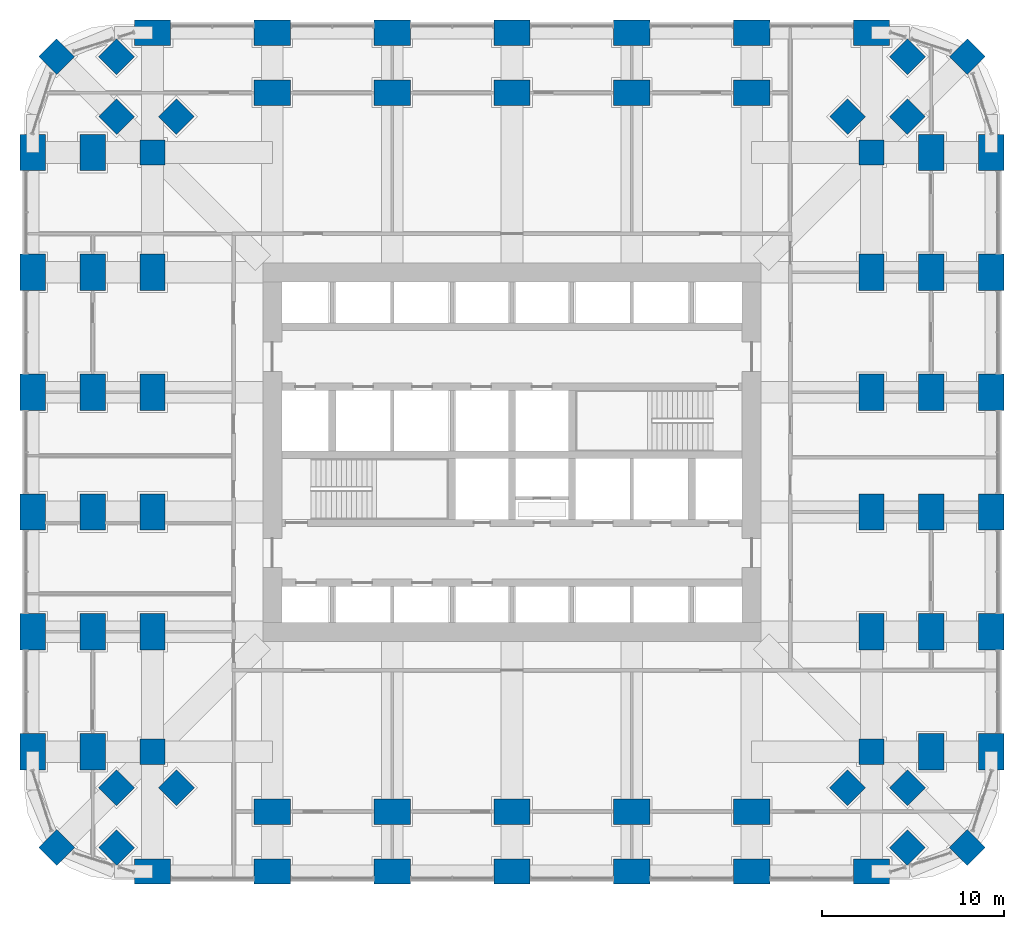
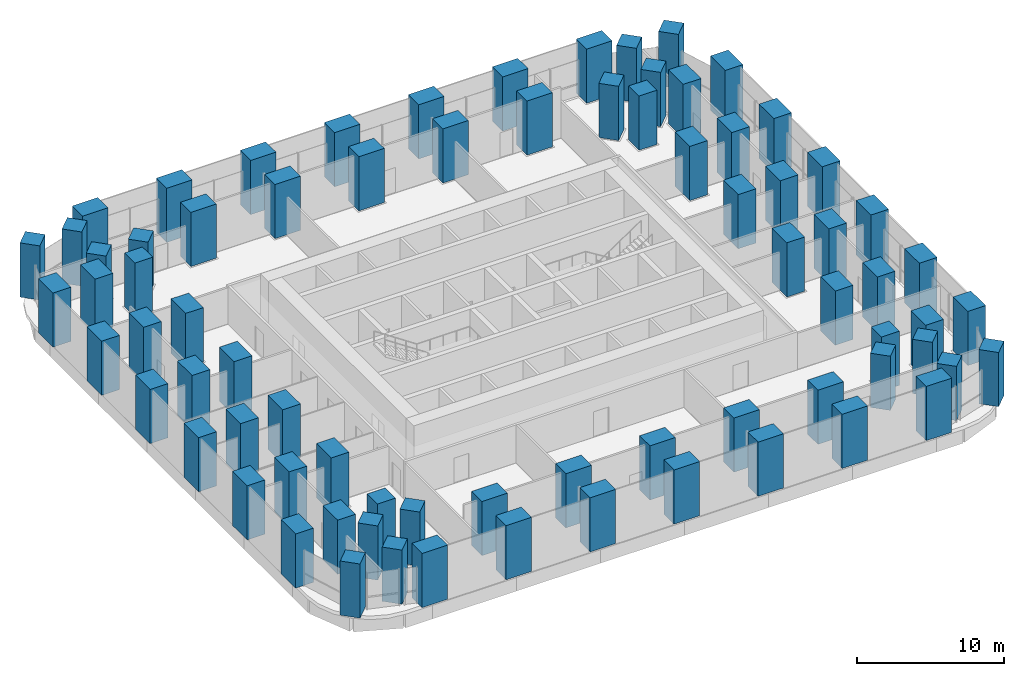
# One storey, part 1 of 17: 76 columns.
"""IFC4 building model written with IfcOpenShell, lengths in metres."""

from ifc_helpers import new_model, si_unit, direction, frame, origin, origin_2d, place, context, subcontext, project, spatial, rectangle, extrude, material, material_profile, profile_set, type_object, element, save


model = new_model("IFC4")

# Units and contexts
model_context = context("Model", 3, precision=1e-05, world=origin(), true_north=direction((0.0, 1.0)))
body_context = subcontext(model_context, "Body", "Model", "MODEL_VIEW")
ifc_project = project(units=[si_unit("LENGTHUNIT", "METRE"), si_unit("AREAUNIT", "SQUARE_METRE"), si_unit("VOLUMEUNIT", "CUBIC_METRE"), si_unit("PLANEANGLEUNIT", "RADIAN"), si_unit("MASSUNIT", "GRAM", prefix="KILO")], contexts=[model_context])

# Site, building, storey
site_placement = place(None, origin())
site = spatial("IfcSite", under=ifc_project, at=site_placement, CompositionType="ELEMENT")
building_placement = place(site_placement, origin())
building = spatial("IfcBuilding", under=site, at=building_placement, Name="Cobogo Forest Laboratory Tower", CompositionType="ELEMENT")
storey_placement = place(building_placement, frame((0.0, 0.0, 12.60009765625)))
storey = spatial("IfcBuildingStorey", under=building, at=storey_placement, Name="L02", CompositionType="ELEMENT", Elevation=12.60009765625)

# Columns
ifc_material = material(Name="Concrete HA-50 (C50/60)", Category="concrete")
ifc_material_profile_1 = material_profile(ifc_material, rectangle(XDim=2.0, YDim=1.39990234375, at=origin_2d()), Name="RC 1400x2000")
ifc_profile_set_1 = profile_set([ifc_material_profile_1], Name="Concrete HA-50 (C50/60)")
column_type_1 = type_object("IfcColumnType", Name="Blade column 1400x2000", PredefinedType="COLUMN", material=ifc_profile_set_1)
for number, where, z_axis, x_axis, name in (
    (1, (6.60009765625, 0.0, 0.0), (0.0, 0.0, 1.0), (1.0, 0.0, 0.0), "Column 2-A L02"),
    (2, (13.199951171875, 0.0, 0.0), (0.0, 0.0, 1.0), (1.0, 0.0, 0.0), "Column 3-A L02"),
    (3, (19.800048828125, 0.0, 0.0), (0.0, 0.0, 1.0), (1.0, 0.0, 0.0), "Column 4-A L02"),
    (4, (26.39990234375, 0.0, 0.0), (0.0, 0.0, 1.0), (1.0, 0.0, 0.0), "Column 5-A L02"),
    (5, (33.0, 0.0, 0.0), (0.0, 0.0, 1.0), (1.0, 0.0, 0.0), "Column 6-A L02"),
    (6, (39.60009765625, 0.0, 0.0), (0.0, 0.0, 1.0), (1.0, 0.0, 0.0), "Column 7-A L02"),
    (7, (46.199951171875, 0.0, 0.0), (0.0, 0.0, 1.0), (1.0, 0.0, 0.0), "Column 8-A L02"),
    (8, (0.0, 6.60009765625, 0.0), (0.0, 0.0, 1.0), (0.0, 1.0, 0.0), "Column 1-B L02"),
    (9, (52.800048828125, 6.60009765625, 0.0), (0.0, 0.0, 1.0), (0.0, 1.0, 0.0), "Column 9-B L02"),
    (10, (0.0, 13.199951171875, 0.0), (0.0, 0.0, 1.0), (0.0, 1.0, 0.0), "Column 1-C L02"),
    (11, (52.800048828125, 13.199951171875, 0.0), (0.0, 0.0, 1.0), (0.0, 1.0, 0.0), "Column 9-C L02"),
    (12, (0.0, 19.800048828125, 0.0), (0.0, 0.0, 1.0), (0.0, 1.0, 0.0), "Column 1-D L02"),
    (13, (52.800048828125, 19.800048828125, 0.0), (0.0, 0.0, 1.0), (0.0, 1.0, 0.0), "Column 9-D L02"),
    (14, (0.0, 26.39990234375, 0.0), (0.0, 0.0, 1.0), (0.0, 1.0, 0.0), "Column 1-E L02"),
    (15, (52.800048828125, 26.39990234375, 0.0), (0.0, 0.0, 1.0), (0.0, 1.0, 0.0), "Column 9-E L02"),
    (16, (0.0, 33.0, 0.0), (0.0, 0.0, 1.0), (0.0, 1.0, 0.0), "Column 1-F L02"),
    (17, (52.800048828125, 33.0, 0.0), (0.0, 0.0, 1.0), (0.0, 1.0, 0.0), "Column 9-F L02"),
    (18, (0.0, 39.60009765625, 0.0), (0.0, 0.0, 1.0), (0.0, 1.0, 0.0), "Column 1-G L02"),
    (19, (52.800048828125, 39.60009765625, 0.0), (0.0, 0.0, 1.0), (0.0, 1.0, 0.0), "Column 9-G L02"),
    (20, (6.60009765625, 46.199951171875, 0.0), (0.0, 0.0, 1.0), (1.0, 0.0, 0.0), "Column 2-H L02"),
    (21, (13.199951171875, 46.199951171875, 0.0), (0.0, 0.0, 1.0), (1.0, 0.0, 0.0), "Column 3-H L02"),
    (22, (19.800048828125, 46.199951171875, 0.0), (0.0, 0.0, 1.0), (1.0, 0.0, 0.0), "Column 4-H L02"),
    (23, (26.39990234375, 46.199951171875, 0.0), (0.0, 0.0, 1.0), (1.0, 0.0, 0.0), "Column 5-H L02"),
    (24, (33.0, 46.199951171875, 0.0), (0.0, 0.0, 1.0), (1.0, 0.0, 0.0), "Column 6-H L02"),
    (25, (39.60009765625, 46.199951171875, 0.0), (0.0, 0.0, 1.0), (1.0, 0.0, 0.0), "Column 7-H L02"),
    (26, (46.199951171875, 46.199951171875, 0.0), (0.0, 0.0, 1.0), (1.0, 0.0, 0.0), "Column 8-H L02"),
    (27, (3.300048828125, 6.60009765625, 0.0), (0.0, 0.0, 1.0), (0.0, 1.0, 0.0), "Column 1.1-B-B L02"),
    (28, (49.5, 6.60009765625, 0.0), (0.0, 0.0, 1.0), (0.0, 1.0, 0.0), "Column 8.1-B-B L02"),
    (29, (3.300048828125, 13.199951171875, 0.0), (0.0, 0.0, 1.0), (0.0, 1.0, 0.0), "Column 1.1-C-B L02"),
    (30, (49.5, 13.199951171875, 0.0), (0.0, 0.0, 1.0), (0.0, 1.0, 0.0), "Column 8.1-C-B L02"),
    (31, (3.300048828125, 19.800048828125, 0.0), (0.0, 0.0, 1.0), (0.0, 1.0, 0.0), "Column 1.1-D-B L02"),
    (32, (49.5, 19.800048828125, 0.0), (0.0, 0.0, 1.0), (0.0, 1.0, 0.0), "Column 8.1-D-B L02"),
    (33, (3.300048828125, 26.39990234375, 0.0), (0.0, 0.0, 1.0), (0.0, 1.0, 0.0), "Column 1.1-E-B L02"),
    (34, (49.5, 26.39990234375, 0.0), (0.0, 0.0, 1.0), (0.0, 1.0, 0.0), "Column 8.1-E-B L02"),
    (35, (3.300048828125, 33.0, 0.0), (0.0, 0.0, 1.0), (0.0, 1.0, 0.0), "Column 1.1-F-B L02"),
    (36, (49.5, 33.0, 0.0), (0.0, 0.0, 1.0), (0.0, 1.0, 0.0), "Column 8.1-F-B L02"),
    (37, (3.300048828125, 39.60009765625, 0.0), (0.0, 0.0, 1.0), (0.0, 1.0, 0.0), "Column 1.1-G-B L02"),
    (38, (49.5, 39.60009765625, 0.0), (0.0, 0.0, 1.0), (0.0, 1.0, 0.0), "Column 8.1-G-B L02"),
    (39, (13.199951171875, 3.300048828125, 0.0), (0.0, 0.0, 1.0), (1.0, 0.0, 0.0), "Column 3-A.1-C L02"),
    (40, (19.800048828125, 3.300048828125, 0.0), (0.0, 0.0, 1.0), (1.0, 0.0, 0.0), "Column 4-A.1-C L02"),
    (41, (26.39990234375, 3.300048828125, 0.0), (0.0, 0.0, 1.0), (1.0, 0.0, 0.0), "Column 5-A.1-C L02"),
    (42, (33.0, 3.300048828125, 0.0), (0.0, 0.0, 1.0), (1.0, 0.0, 0.0), "Column 6-A.1-C L02"),
    (43, (39.60009765625, 3.300048828125, 0.0), (0.0, 0.0, 1.0), (1.0, 0.0, 0.0), "Column 7-A.1-C L02"),
    (44, (13.199951171875, 42.89990234375, 0.0), (0.0, 0.0, 1.0), (1.0, 0.0, 0.0), "Column 3-G.1-C L02"),
    (45, (19.800048828125, 42.89990234375, 0.0), (0.0, 0.0, 1.0), (1.0, 0.0, 0.0), "Column 4-G.1-C L02"),
    (46, (26.39990234375, 42.89990234375, 0.0), (0.0, 0.0, 1.0), (1.0, 0.0, 0.0), "Column 5-G.1-C L02"),
    (47, (33.0, 42.89990234375, 0.0), (0.0, 0.0, 1.0), (1.0, 0.0, 0.0), "Column 6-G.1-C L02"),
    (48, (39.60009765625, 42.89990234375, 0.0), (0.0, 0.0, 1.0), (1.0, 0.0, 0.0), "Column 7-G.1-C L02"),
    (49, (6.60009765625, 13.199951171875, 0.0), (0.0, 0.0, 1.0), (0.0, 1.0, 0.0), "Column 2-C-D L02"),
    (50, (46.199951171875, 13.199951171875, 0.0), (0.0, 0.0, 1.0), (0.0, 1.0, 0.0), "Column 8-C-D L02"),
    (51, (6.60009765625, 19.800048828125, 0.0), (0.0, 0.0, 1.0), (0.0, 1.0, 0.0), "Column 2-D-D L02"),
    (52, (46.199951171875, 19.800048828125, 0.0), (0.0, 0.0, 1.0), (0.0, 1.0, 0.0), "Column 8-D-D L02"),
    (53, (6.60009765625, 26.39990234375, 0.0), (0.0, 0.0, 1.0), (0.0, 1.0, 0.0), "Column 2-E-D L02"),
    (54, (46.199951171875, 26.39990234375, 0.0), (0.0, 0.0, 1.0), (0.0, 1.0, 0.0), "Column 8-E-D L02"),
    (55, (6.60009765625, 33.0, 0.0), (0.0, 0.0, 1.0), (0.0, 1.0, 0.0), "Column 2-F-D L02"),
    (56, (46.199951171875, 33.0, 0.0), (0.0, 0.0, 1.0), (0.0, 1.0, 0.0), "Column 8-F-D L02"),
):
    element("IfcColumn", number, at=place(storey_placement, frame(where, z_axis=z_axis, x_axis=x_axis)), inside=storey, type_object=column_type_1, Name=name, PredefinedType="COLUMN", context=body_context, shape_type="SweptSolid", body=[
        extrude(rectangle(XDim=2.0, YDim=1.39990234375, at=origin_2d()), origin(), (0.0, 0.0, 1.0), 4.5),
    ])
ifc_material_profile_2 = material_profile(ifc_material, rectangle(XDim=1.39990234375, YDim=1.39990234375, at=origin_2d()), Name="RC 1400x1400")
ifc_profile_set_2 = profile_set([ifc_material_profile_2], Name="Concrete HA-50 (C50/60)")
column_type_2 = type_object("IfcColumnType", Name="Column 1400x1400", PredefinedType="COLUMN", material=ifc_profile_set_2)
for number, where, z_axis, x_axis, name in (
    (57, (1.318115234375, 1.318115234375, 0.0), (0.0, 0.0, 1.0), (0.707106781187, 0.707106781187, 0.0), "Column CNR-SW L02"),
    (58, (51.48193359375, 1.318115234375, 0.0), (0.0, 0.0, 1.0), (0.707106781187, 0.707106781187, 0.0), "Column CNR-SE L02"),
    (59, (1.318115234375, 44.882080078125, 0.0), (0.0, 0.0, 1.0), (0.707106781187, 0.707106781187, 0.0), "Column CNR-NW L02"),
    (60, (51.48193359375, 44.882080078125, 0.0), (0.0, 0.0, 1.0), (0.707106781187, 0.707106781187, 0.0), "Column CNR-NE L02"),
    (61, (6.60009765625, 6.60009765625, 0.0), (0.0, 0.0, 1.0), (1.0, 0.0, 0.0), "Column 2-B L02"),
    (62, (46.199951171875, 6.60009765625, 0.0), (0.0, 0.0, 1.0), (1.0, 0.0, 0.0), "Column 8-B L02"),
    (63, (6.60009765625, 39.60009765625, 0.0), (0.0, 0.0, 1.0), (1.0, 0.0, 0.0), "Column 2-G L02"),
    (64, (46.199951171875, 39.60009765625, 0.0), (0.0, 0.0, 1.0), (1.0, 0.0, 0.0), "Column 8-G L02"),
    (65, (4.617919921875, 1.318115234375, 0.0), (0.0, 0.0, 1.0), (0.707106781187, 0.707106781187, 0.0), "Column CNR-SW-B L02"),
    (66, (48.181884765625, 1.318115234375, 0.0), (0.0, 0.0, 1.0), (0.707106781187, 0.707106781187, 0.0), "Column CNR-SE-B L02"),
    (67, (4.617919921875, 44.882080078125, 0.0), (0.0, 0.0, 1.0), (0.707106781187, 0.707106781187, 0.0), "Column CNR-NW-B L02"),
    (68, (48.181884765625, 44.882080078125, 0.0), (0.0, 0.0, 1.0), (0.707106781187, 0.707106781187, 0.0), "Column CNR-NE-B L02"),
    (69, (4.617919921875, 4.617919921875, 0.0), (0.0, 0.0, 1.0), (0.707106781187, 0.707106781187, 0.0), "Column CNR-SW-C L02"),
    (70, (48.181884765625, 4.617919921875, 0.0), (0.0, 0.0, 1.0), (0.707106781187, 0.707106781187, 0.0), "Column CNR-SE-C L02"),
    (71, (4.617919921875, 41.58203125, 0.0), (0.0, 0.0, 1.0), (0.707106781187, 0.707106781187, 0.0), "Column CNR-NW-C L02"),
    (72, (48.181884765625, 41.58203125, 0.0), (0.0, 0.0, 1.0), (0.707106781187, 0.707106781187, 0.0), "Column CNR-NE-C L02"),
    (73, (7.91796875, 4.617919921875, 0.0), (0.0, 0.0, 1.0), (0.707106781187, 0.707106781187, 0.0), "Column CNR-SW-D L02"),
    (74, (44.882080078125, 4.617919921875, 0.0), (0.0, 0.0, 1.0), (0.707106781187, 0.707106781187, 0.0), "Column CNR-SE-D L02"),
    (75, (7.91796875, 41.58203125, 0.0), (0.0, 0.0, 1.0), (0.707106781187, 0.707106781187, 0.0), "Column CNR-NW-D L02"),
    (76, (44.882080078125, 41.58203125, 0.0), (0.0, 0.0, 1.0), (0.707106781187, 0.707106781187, 0.0), "Column CNR-NE-D L02"),
):
    element("IfcColumn", number, at=place(storey_placement, frame(where, z_axis=z_axis, x_axis=x_axis)), inside=storey, type_object=column_type_2, Name=name, PredefinedType="COLUMN", context=body_context, shape_type="SweptSolid", body=[
        extrude(rectangle(XDim=1.39990234375, YDim=1.39990234375, at=origin_2d()), origin(), (0.0, 0.0, 1.0), 4.5),
    ])

save(model, "model.ifc")
